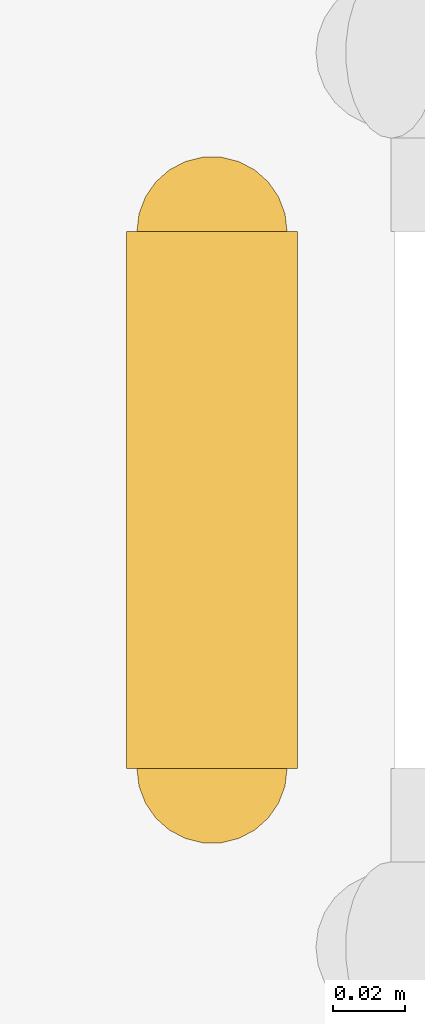
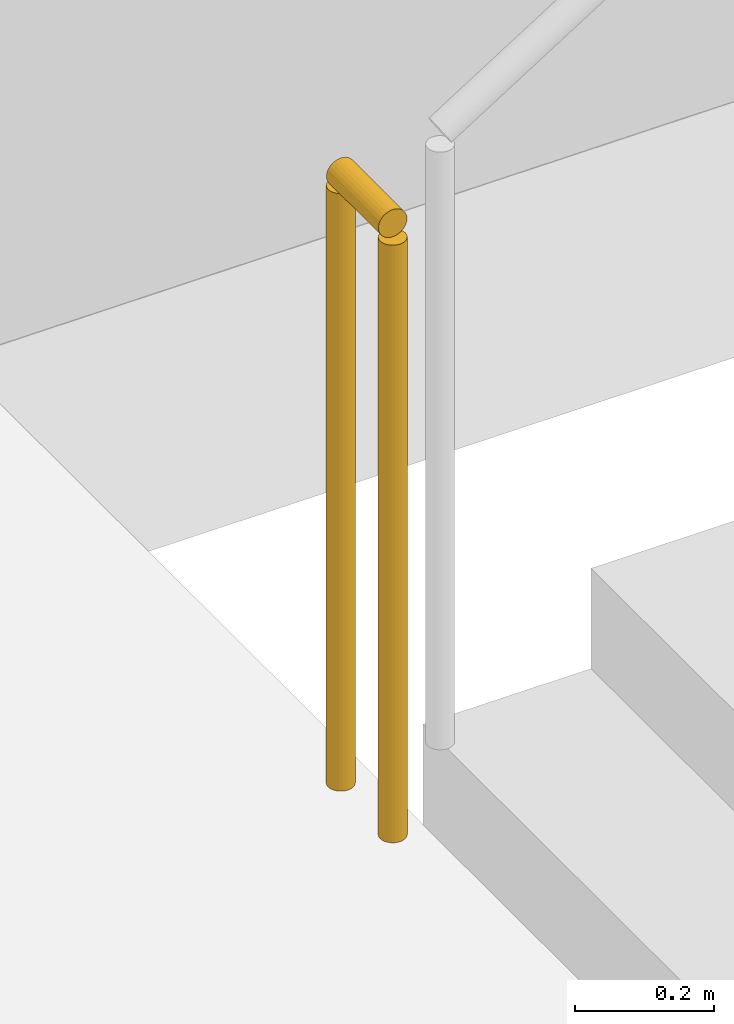
# One storey, part 9 of 14: 1 railing.
"""IFC4 building model written with IfcOpenShell, lengths in metres."""

from ifc_helpers import new_model, si_unit, direction, frame, origin, origin_2d, place, context, subcontext, project, spatial, circle, extrude, material, type_object, element, save


model = new_model("IFC4")

# Units and contexts
model_context = context("Model", 3, precision=1e-05, world=origin(), true_north=direction((0.0, 1.0)))
body_context = subcontext(model_context, "Body", "Model", "MODEL_VIEW")
ifc_project = project(units=[si_unit("LENGTHUNIT", "METRE"), si_unit("AREAUNIT", "SQUARE_METRE"), si_unit("VOLUMEUNIT", "CUBIC_METRE"), si_unit("PLANEANGLEUNIT", "RADIAN"), si_unit("MASSUNIT", "GRAM", prefix="KILO")], contexts=[model_context])

# Site, building, storey
site_placement = place(None, origin())
site = spatial("IfcSite", under=ifc_project, at=site_placement, CompositionType="ELEMENT")
building_placement = place(site_placement, origin())
building = spatial("IfcBuilding", under=site, at=building_placement, Name="Ostrand Prow Hotel Tower", CompositionType="ELEMENT")
storey_placement = place(building_placement, frame((0.0, 0.0, 29.0)))
storey = spatial("IfcBuildingStorey", under=building, at=storey_placement, Name="L05", CompositionType="ELEMENT", Elevation=29.0)

# Railing
ifc_material = material(Name="Painted steel", Category="steel")
railing_type = type_object("IfcRailingType", Name="Stair guard 1100", PredefinedType="GUARDRAIL", material=ifc_material)
railing_placement = place(storey_placement, frame((57.14990234375, -11.699951171875, 0.0)))
element("IfcRailing", 1, at=railing_placement, inside=storey, type_object=railing_type, Name="L05 ST2B stair guard 4", PredefinedType="GUARDRAIL", context=body_context, shape_type="SweptSolid", body=[
    extrude(circle(Radius=0.02392578125, at=origin_2d()), frame((0.0, 0.0, 1.076171875), z_axis=(0.0, 1.0, 0.0), x_axis=(-1.0, 0.0, 0.0)), (0.0, 0.0, 1.0), 0.14990234375),
    extrude(circle(Radius=0.02099609375, at=origin_2d()), origin(), (0.0, 0.0, 1.0), 1.052001953125),
    extrude(circle(Radius=0.02099609375, at=origin_2d()), frame((0.0, 0.14990234375, 0.0)), (0.0, 0.0, 1.0), 1.052001953125),
])

save(model, "model.ifc")
